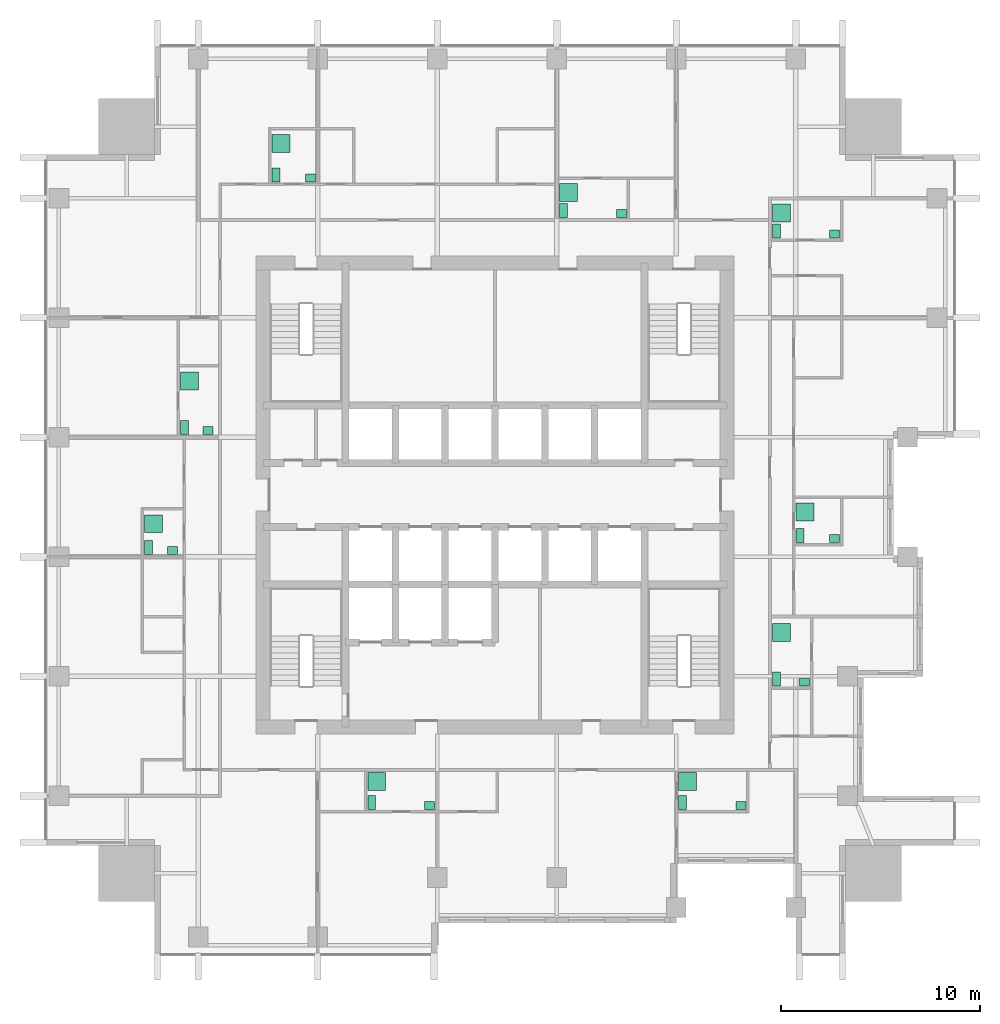
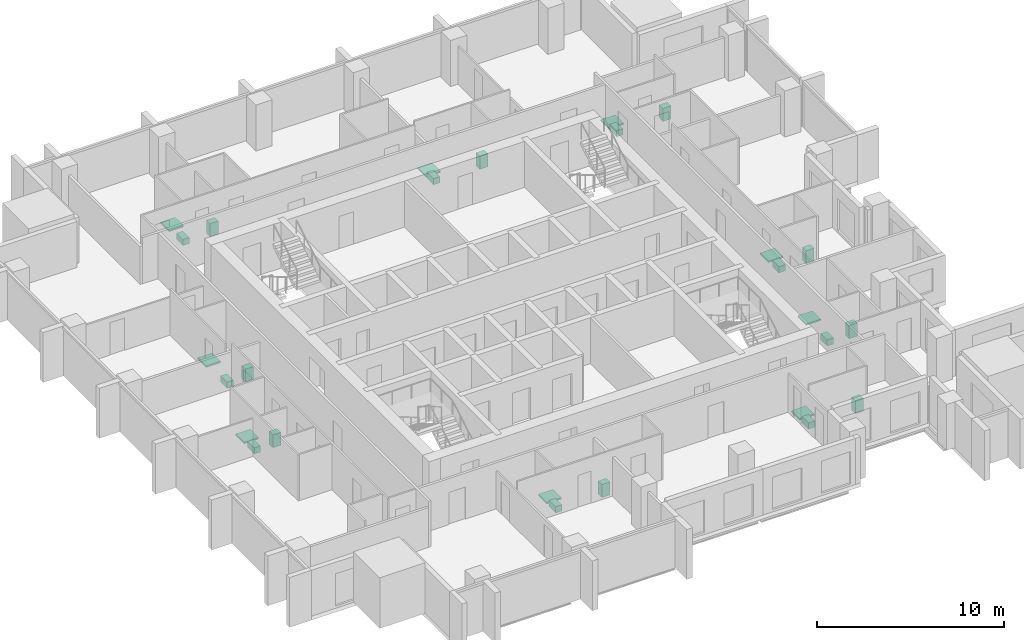
# One storey, part 10 of 10: 27 sanitary terminals.
"""IFC4 building model written with IfcOpenShell, lengths in metres."""

from ifc_helpers import new_model, si_unit, direction, frame, origin, origin_2d, place, context, subcontext, project, spatial, rectangle, extrude, element, save


model = new_model("IFC4")

# Units and contexts
model_context = context("Model", 3, precision=1e-05, world=origin(), true_north=direction((0.0, 1.0)))
body_context = subcontext(model_context, "Body", "Model", "MODEL_VIEW")
ifc_project = project(units=[si_unit("LENGTHUNIT", "METRE"), si_unit("AREAUNIT", "SQUARE_METRE"), si_unit("VOLUMEUNIT", "CUBIC_METRE"), si_unit("PLANEANGLEUNIT", "RADIAN"), si_unit("MASSUNIT", "GRAM", prefix="KILO")], contexts=[model_context])

# Site, building, storey
site_placement = place(None, origin())
site = spatial("IfcSite", under=ifc_project, at=site_placement, CompositionType="ELEMENT")
building_placement = place(site_placement, origin())
building = spatial("IfcBuilding", under=site, at=building_placement, Name="Amberfall Residences", CompositionType="ELEMENT")
storey_placement = place(building_placement, frame((0.0, 0.0, 147.10009765625)))
storey = spatial("IfcBuildingStorey", under=building, at=storey_placement, Name="L39", CompositionType="ELEMENT", Elevation=147.10009765625)

# Sanitary terminals
sanitary_terminal_1_placement = place(storey_placement, frame((68.31005859375, 30.06005859375, 0.0), z_axis=(0.0, 0.0, 1.0), x_axis=(1.0, 0.0, 0.0)))
element("IfcSanitaryTerminal", 1, at=sanitary_terminal_1_placement, inside=storey, Name="Water closet 3901", PredefinedType="TOILETPAN", context=body_context, shape_type="SweptSolid", body=[
    extrude(rectangle(XDim=0.39990234375, YDim=0.699951171875, at=origin_2d()), origin(), (0.0, 0.0, 1.0), 0.39990234375),
])
sanitary_terminal_2_placement = place(storey_placement, frame((71.215087890625, 29.909912109375, -0.000244140625), z_axis=(0.0, 0.0, 1.0), x_axis=(1.0, 0.0, 0.0)))
element("IfcSanitaryTerminal", 2, at=sanitary_terminal_2_placement, inside=storey, Name="Basin 3901", PredefinedType="WASHHANDBASIN", context=body_context, shape_type="SweptSolid", body=[
    extrude(rectangle(XDim=0.5, YDim=0.39990234375, at=origin_2d()), origin(), (0.0, 0.0, 1.0), 0.85009765625),
])
sanitary_terminal_3_placement = place(storey_placement, frame((68.56005859375, 31.114990234375, -0.000244140625), z_axis=(0.0, 0.0, 1.0), x_axis=(1.0, 0.0, 0.0)))
element("IfcSanitaryTerminal", 3, at=sanitary_terminal_3_placement, inside=storey, Name="Shower tray 3901", PredefinedType="SHOWER", context=body_context, shape_type="SweptSolid", body=[
    extrude(rectangle(XDim=0.89990234375, YDim=0.89990234375, at=origin_2d()), origin(), (0.0, 0.0, 1.0), 0.10009765625),
])
sanitary_terminal_4_placement = place(storey_placement, frame((83.909912109375, 30.06005859375, 0.0), z_axis=(0.0, 0.0, 1.0), x_axis=(1.0, 0.0, 0.0)))
element("IfcSanitaryTerminal", 4, at=sanitary_terminal_4_placement, inside=storey, Name="Water closet 3902", PredefinedType="TOILETPAN", context=body_context, shape_type="SweptSolid", body=[
    extrude(rectangle(XDim=0.39990234375, YDim=0.699951171875, at=origin_2d()), origin(), (0.0, 0.0, 1.0), 0.39990234375),
])
sanitary_terminal_5_placement = place(storey_placement, frame((86.840087890625, 29.909912109375, -0.000244140625), z_axis=(0.0, 0.0, 1.0), x_axis=(1.0, 0.0, 0.0)))
element("IfcSanitaryTerminal", 5, at=sanitary_terminal_5_placement, inside=storey, Name="Basin 3902", PredefinedType="WASHHANDBASIN", context=body_context, shape_type="SweptSolid", body=[
    extrude(rectangle(XDim=0.5, YDim=0.39990234375, at=origin_2d()), origin(), (0.0, 0.0, 1.0), 0.85009765625),
])
sanitary_terminal_6_placement = place(storey_placement, frame((84.159912109375, 31.114990234375, -0.000244140625), z_axis=(0.0, 0.0, 1.0), x_axis=(1.0, 0.0, 0.0)))
element("IfcSanitaryTerminal", 6, at=sanitary_terminal_6_placement, inside=storey, Name="Shower tray 3902", PredefinedType="SHOWER", context=body_context, shape_type="SweptSolid", body=[
    extrude(rectangle(XDim=0.89990234375, YDim=0.89990234375, at=origin_2d()), origin(), (0.0, 0.0, 1.0), 0.10009765625),
])
sanitary_terminal_7_placement = place(storey_placement, frame((88.635009765625, 36.260009765625, 0.0), z_axis=(0.0, 0.0, 1.0), x_axis=(1.0, 0.0, 0.0)))
element("IfcSanitaryTerminal", 7, at=sanitary_terminal_7_placement, inside=storey, Name="Water closet 3903", PredefinedType="TOILETPAN", context=body_context, shape_type="SweptSolid", body=[
    extrude(rectangle(XDim=0.39990234375, YDim=0.699951171875, at=origin_2d()), origin(), (0.0, 0.0, 1.0), 0.39990234375),
])
sanitary_terminal_8_placement = place(storey_placement, frame((90.0400390625, 36.110107421875, -0.000244140625), z_axis=(0.0, 0.0, 1.0), x_axis=(1.0, 0.0, 0.0)))
element("IfcSanitaryTerminal", 8, at=sanitary_terminal_8_placement, inside=storey, Name="Basin 3903", PredefinedType="WASHHANDBASIN", context=body_context, shape_type="SweptSolid", body=[
    extrude(rectangle(XDim=0.5, YDim=0.39990234375, at=origin_2d()), origin(), (0.0, 0.0, 1.0), 0.85009765625),
])
sanitary_terminal_9_placement = place(storey_placement, frame((88.885009765625, 38.591796875, -0.000244140625), z_axis=(0.0, 0.0, 1.0), x_axis=(1.0, 0.0, 0.0)))
element("IfcSanitaryTerminal", 9, at=sanitary_terminal_9_placement, inside=storey, Name="Shower tray 3903", PredefinedType="SHOWER", context=body_context, shape_type="SweptSolid", body=[
    extrude(rectangle(XDim=0.89990234375, YDim=0.89990234375, at=origin_2d()), origin(), (0.0, 0.0, 1.0), 0.10009765625),
])
sanitary_terminal_10_placement = place(storey_placement, frame((89.81005859375, 43.4599609375, 0.0), z_axis=(0.0, 0.0, 1.0), x_axis=(1.0, 0.0, 0.0)))
element("IfcSanitaryTerminal", 10, at=sanitary_terminal_10_placement, inside=storey, Name="Water closet 3904", PredefinedType="TOILETPAN", context=body_context, shape_type="SweptSolid", body=[
    extrude(rectangle(XDim=0.39990234375, YDim=0.699951171875, at=origin_2d()), origin(), (0.0, 0.0, 1.0), 0.39990234375),
])
sanitary_terminal_11_placement = place(storey_placement, frame((91.5400390625, 43.31005859375, -0.000244140625), z_axis=(0.0, 0.0, 1.0), x_axis=(1.0, 0.0, 0.0)))
element("IfcSanitaryTerminal", 11, at=sanitary_terminal_11_placement, inside=storey, Name="Basin 3904", PredefinedType="WASHHANDBASIN", context=body_context, shape_type="SweptSolid", body=[
    extrude(rectangle(XDim=0.5, YDim=0.39990234375, at=origin_2d()), origin(), (0.0, 0.0, 1.0), 0.85009765625),
])
sanitary_terminal_12_placement = place(storey_placement, frame((90.06005859375, 44.6572265625, -0.000244140625), z_axis=(0.0, 0.0, 1.0), x_axis=(1.0, 0.0, 0.0)))
element("IfcSanitaryTerminal", 12, at=sanitary_terminal_12_placement, inside=storey, Name="Shower tray 3904", PredefinedType="SHOWER", context=body_context, shape_type="SweptSolid", body=[
    extrude(rectangle(XDim=0.89990234375, YDim=0.89990234375, at=origin_2d()), origin(), (0.0, 0.0, 1.0), 0.10009765625),
])
sanitary_terminal_13_placement = place(storey_placement, frame((88.635009765625, 58.760009765625, 0.0), z_axis=(0.0, 0.0, 1.0), x_axis=(1.0, 0.0, 0.0)))
element("IfcSanitaryTerminal", 13, at=sanitary_terminal_13_placement, inside=storey, Name="Water closet 3905", PredefinedType="TOILETPAN", context=body_context, shape_type="SweptSolid", body=[
    extrude(rectangle(XDim=0.39990234375, YDim=0.699951171875, at=origin_2d()), origin(), (0.0, 0.0, 1.0), 0.39990234375),
])
sanitary_terminal_14_placement = place(storey_placement, frame((91.5400390625, 58.610107421875, -0.000244140625), z_axis=(0.0, 0.0, 1.0), x_axis=(1.0, 0.0, 0.0)))
element("IfcSanitaryTerminal", 14, at=sanitary_terminal_14_placement, inside=storey, Name="Basin 3905", PredefinedType="WASHHANDBASIN", context=body_context, shape_type="SweptSolid", body=[
    extrude(rectangle(XDim=0.5, YDim=0.39990234375, at=origin_2d()), origin(), (0.0, 0.0, 1.0), 0.85009765625),
])
sanitary_terminal_15_placement = place(storey_placement, frame((88.885009765625, 59.65576171875, -0.000244140625), z_axis=(0.0, 0.0, 1.0), x_axis=(1.0, 0.0, 0.0)))
element("IfcSanitaryTerminal", 15, at=sanitary_terminal_15_placement, inside=storey, Name="Shower tray 3905", PredefinedType="SHOWER", context=body_context, shape_type="SweptSolid", body=[
    extrude(rectangle(XDim=0.89990234375, YDim=0.89990234375, at=origin_2d()), origin(), (0.0, 0.0, 1.0), 0.10009765625),
])
sanitary_terminal_16_placement = place(storey_placement, frame((63.510009765625, 61.56005859375, 0.0), z_axis=(0.0, 0.0, 1.0), x_axis=(1.0, 0.0, 0.0)))
element("IfcSanitaryTerminal", 16, at=sanitary_terminal_16_placement, inside=storey, Name="Water closet 3906", PredefinedType="TOILETPAN", context=body_context, shape_type="SweptSolid", body=[
    extrude(rectangle(XDim=0.39990234375, YDim=0.699951171875, at=origin_2d()), origin(), (0.0, 0.0, 1.0), 0.39990234375),
])
sanitary_terminal_17_placement = place(storey_placement, frame((65.239990234375, 61.409912109375, -0.000244140625), z_axis=(0.0, 0.0, 1.0), x_axis=(1.0, 0.0, 0.0)))
element("IfcSanitaryTerminal", 17, at=sanitary_terminal_17_placement, inside=storey, Name="Basin 3906", PredefinedType="WASHHANDBASIN", context=body_context, shape_type="SweptSolid", body=[
    extrude(rectangle(XDim=0.5, YDim=0.39990234375, at=origin_2d()), origin(), (0.0, 0.0, 1.0), 0.85009765625),
])
sanitary_terminal_18_placement = place(storey_placement, frame((63.760009765625, 63.1533203125, -0.000244140625), z_axis=(0.0, 0.0, 1.0), x_axis=(1.0, 0.0, 0.0)))
element("IfcSanitaryTerminal", 18, at=sanitary_terminal_18_placement, inside=storey, Name="Shower tray 3906", PredefinedType="SHOWER", context=body_context, shape_type="SweptSolid", body=[
    extrude(rectangle(XDim=0.89990234375, YDim=0.89990234375, at=origin_2d()), origin(), (0.0, 0.0, 1.0), 0.10009765625),
])
sanitary_terminal_19_placement = place(storey_placement, frame((77.93505859375, 59.784912109375, 0.0), z_axis=(0.0, 0.0, 1.0), x_axis=(1.0, 0.0, 0.0)))
element("IfcSanitaryTerminal", 19, at=sanitary_terminal_19_placement, inside=storey, Name="Water closet 3907", PredefinedType="TOILETPAN", context=body_context, shape_type="SweptSolid", body=[
    extrude(rectangle(XDim=0.39990234375, YDim=0.699951171875, at=origin_2d()), origin(), (0.0, 0.0, 1.0), 0.39990234375),
])
sanitary_terminal_20_placement = place(storey_placement, frame((80.840087890625, 59.635009765625, -0.000244140625), z_axis=(0.0, 0.0, 1.0), x_axis=(1.0, 0.0, 0.0)))
element("IfcSanitaryTerminal", 20, at=sanitary_terminal_20_placement, inside=storey, Name="Basin 3907", PredefinedType="WASHHANDBASIN", context=body_context, shape_type="SweptSolid", body=[
    extrude(rectangle(XDim=0.5, YDim=0.39990234375, at=origin_2d()), origin(), (0.0, 0.0, 1.0), 0.85009765625),
])
sanitary_terminal_21_placement = place(storey_placement, frame((78.18505859375, 60.680908203125, -0.000244140625), z_axis=(0.0, 0.0, 1.0), x_axis=(1.0, 0.0, 0.0)))
element("IfcSanitaryTerminal", 21, at=sanitary_terminal_21_placement, inside=storey, Name="Shower tray 3907", PredefinedType="SHOWER", context=body_context, shape_type="SweptSolid", body=[
    extrude(rectangle(XDim=0.89990234375, YDim=0.89990234375, at=origin_2d()), origin(), (0.0, 0.0, 1.0), 0.10009765625),
])
sanitary_terminal_22_placement = place(storey_placement, frame((57.110107421875, 42.860107421875, 0.0), z_axis=(0.0, 0.0, 1.0), x_axis=(1.0, 0.0, 0.0)))
element("IfcSanitaryTerminal", 22, at=sanitary_terminal_22_placement, inside=storey, Name="Water closet 3908", PredefinedType="TOILETPAN", context=body_context, shape_type="SweptSolid", body=[
    extrude(rectangle(XDim=0.39990234375, YDim=0.699951171875, at=origin_2d()), origin(), (0.0, 0.0, 1.0), 0.39990234375),
])
sanitary_terminal_23_placement = place(storey_placement, frame((58.31005859375, 42.7099609375, -0.000244140625), z_axis=(0.0, 0.0, 1.0), x_axis=(1.0, 0.0, 0.0)))
element("IfcSanitaryTerminal", 23, at=sanitary_terminal_23_placement, inside=storey, Name="Basin 3908", PredefinedType="WASHHANDBASIN", context=body_context, shape_type="SweptSolid", body=[
    extrude(rectangle(XDim=0.5, YDim=0.39990234375, at=origin_2d()), origin(), (0.0, 0.0, 1.0), 0.85009765625),
])
sanitary_terminal_24_placement = place(storey_placement, frame((57.360107421875, 44.05712890625, -0.000244140625), z_axis=(0.0, 0.0, 1.0), x_axis=(1.0, 0.0, 0.0)))
element("IfcSanitaryTerminal", 24, at=sanitary_terminal_24_placement, inside=storey, Name="Shower tray 3908", PredefinedType="SHOWER", context=body_context, shape_type="SweptSolid", body=[
    extrude(rectangle(XDim=0.89990234375, YDim=0.89990234375, at=origin_2d()), origin(), (0.0, 0.0, 1.0), 0.10009765625),
])
sanitary_terminal_25_placement = place(storey_placement, frame((58.909912109375, 48.885009765625, 0.0), z_axis=(0.0, 0.0, 1.0), x_axis=(1.0, 0.0, 0.0)))
element("IfcSanitaryTerminal", 25, at=sanitary_terminal_25_placement, inside=storey, Name="Water closet 3909", PredefinedType="TOILETPAN", context=body_context, shape_type="SweptSolid", body=[
    extrude(rectangle(XDim=0.39990234375, YDim=0.699951171875, at=origin_2d()), origin(), (0.0, 0.0, 1.0), 0.39990234375),
])
sanitary_terminal_26_placement = place(storey_placement, frame((60.089111328125, 48.735107421875, -0.000244140625), z_axis=(0.0, 0.0, 1.0), x_axis=(1.0, 0.0, 0.0)))
element("IfcSanitaryTerminal", 26, at=sanitary_terminal_26_placement, inside=storey, Name="Basin 3909", PredefinedType="WASHHANDBASIN", context=body_context, shape_type="SweptSolid", body=[
    extrude(rectangle(XDim=0.5, YDim=0.39990234375, at=origin_2d()), origin(), (0.0, 0.0, 1.0), 0.85009765625),
])
sanitary_terminal_27_placement = place(storey_placement, frame((59.159912109375, 51.216796875, -0.000244140625), z_axis=(0.0, 0.0, 1.0), x_axis=(1.0, 0.0, 0.0)))
element("IfcSanitaryTerminal", 27, at=sanitary_terminal_27_placement, inside=storey, Name="Shower tray 3909", PredefinedType="SHOWER", context=body_context, shape_type="SweptSolid", body=[
    extrude(rectangle(XDim=0.89990234375, YDim=0.89990234375, at=origin_2d()), origin(), (0.0, 0.0, 1.0), 0.10009765625),
])

save(model, "model.ifc")
